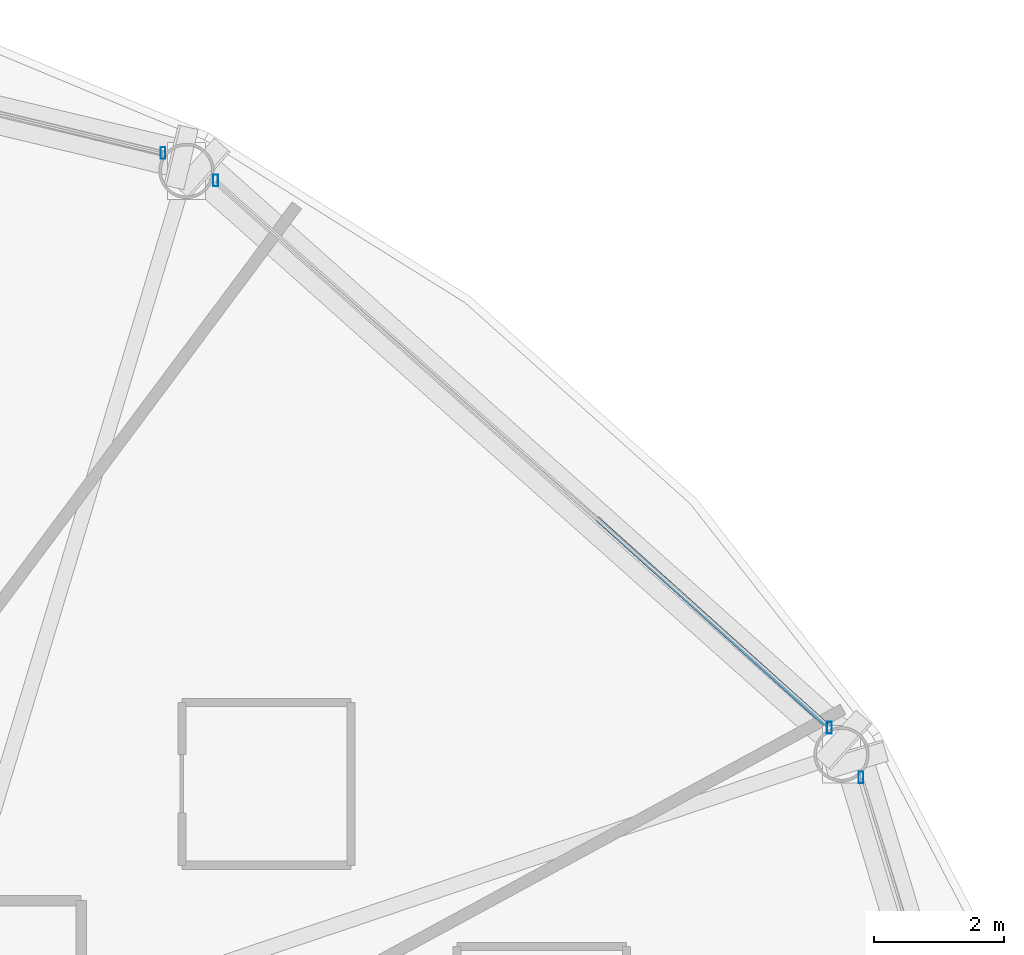
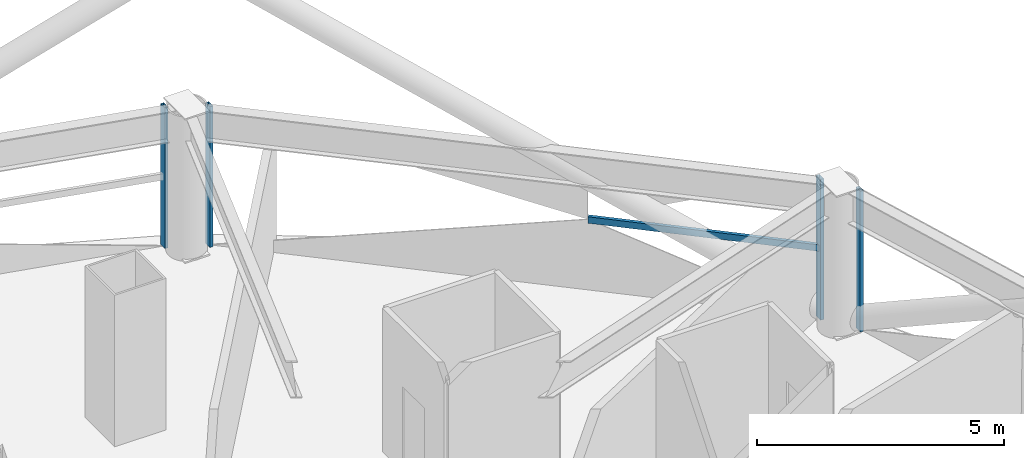
# One storey, part 19 of 30: 5 members, 3 elements without a shape of their own.
"""IFC4 building model written with IfcOpenShell, lengths in metres."""

from ifc_helpers import new_model, si_unit, direction, frame, origin, origin_2d, place, context, subcontext, project, spatial, hollow_rectangle, extrude, material, layer, layer_set, material_profile, profile_set, type_object, element, aggregate, save


model = new_model("IFC4")

# Units and contexts
model_context = context("Model", 3, precision=1e-05, world=origin(), true_north=direction((0.0, 1.0)))
body_context = subcontext(model_context, "Body", "Model", "MODEL_VIEW")
ifc_project = project(units=[si_unit("LENGTHUNIT", "METRE"), si_unit("AREAUNIT", "SQUARE_METRE"), si_unit("VOLUMEUNIT", "CUBIC_METRE"), si_unit("PLANEANGLEUNIT", "RADIAN"), si_unit("MASSUNIT", "GRAM", prefix="KILO")], contexts=[model_context])

# Site, building, storey
site_placement = place(None, origin())
site = spatial("IfcSite", under=ifc_project, at=site_placement, CompositionType="ELEMENT")
building_placement = place(site_placement, origin())
building = spatial("IfcBuilding", under=site, at=building_placement, Name="Vantalir Tower", CompositionType="ELEMENT")
storey_placement = place(building_placement, frame((0.0, 0.0, 79.5)))
storey = spatial("IfcBuildingStorey", under=building, at=storey_placement, Name="L19", CompositionType="ELEMENT", Elevation=79.5)

# Curtain wall, member
ifc_material_1 = material(Name="Champagne-silver PVDF aluminium and double-silver Low-E glass", Category="aluminium")
ifc_layer = layer(ifc_material_1, 0.18994140625)
ifc_layer_set = layer_set([ifc_layer], Name="Champagne-silver PVDF aluminium and double-silver Low-E glass")
curtain_wall_type = type_object("IfcCurtainWallType", Name="CW-DIAMOND-Z1", PredefinedType="USERDEFINED", material=ifc_layer_set)
curtain_wall_1_placement = place(storey_placement, origin())
curtain_wall_1 = element("IfcCurtainWall", 1, at=curtain_wall_1_placement, inside=storey, type_object=curtain_wall_type, Name="L19 Quilted Pyramid-Diamond Curtain Wall S01", ObjectType="UNITISED CURTAIN WALL", PredefinedType="USERDEFINED")
ifc_material_2 = material(Name="Champagne-silver PVDF aluminium 6063-T6", Category="aluminium")
ifc_material_profile_1 = material_profile(ifc_material_2, hollow_rectangle(XDim=0.074951171875, YDim=0.179931640625, WallThickness=0.00390625, at=origin_2d()), Name="Champagne-silver PVDF aluminium 6063-T6")
ifc_profile_set_1 = profile_set([ifc_material_profile_1], Name="Champagne-silver PVDF aluminium 6063-T6")
member_type_1 = type_object("IfcMemberType", Name="CWM-180x75", PredefinedType="MULLION", material=ifc_profile_set_1)
member_1_placement = place(storey_placement, frame((55.614990234375, 36.89208984375, 0.044921875), z_axis=(0.0, 0.0, 1.0), x_axis=(1.0, 0.0, 0.0)))
member_1 = element("IfcMember", 2, at=member_1_placement, type_object=member_type_1, Name="CW-L19-S01 Mullion 2", PredefinedType="MULLION", context=body_context, shape_type="SweptSolid", body=[
    extrude(hollow_rectangle(XDim=0.074951171875, YDim=0.179931640625, WallThickness=0.00390625, at=origin_2d()), origin(), (0.0, 0.0, 1.0), 3.47998046875),
])
aggregate(curtain_wall_1, [member_1])

# Curtain wall, members
curtain_wall_2_placement = place(storey_placement, origin())
curtain_wall_2 = element("IfcCurtainWall", 3, at=curtain_wall_2_placement, inside=storey, type_object=curtain_wall_type, Name="L19 Quilted Pyramid-Diamond Curtain Wall S02", ObjectType="UNITISED CURTAIN WALL", PredefinedType="USERDEFINED")
member_2_placement = place(storey_placement, frame((55.12890625, 37.655029296875, 0.044921875), z_axis=(0.0, 0.0, 1.0), x_axis=(1.0, 0.0, 0.0)))
member_2 = element("IfcMember", 4, at=member_2_placement, type_object=member_type_1, Name="CW-L19-S02 Mullion 1", PredefinedType="MULLION", context=body_context, shape_type="SweptSolid", body=[
    extrude(hollow_rectangle(XDim=0.074951171875, YDim=0.179931640625, WallThickness=0.00390625, at=origin_2d()), origin(), (0.0, 0.0, 1.0), 3.47998046875),
])
member_3_placement = place(storey_placement, frame((45.696044921875, 46.06494140625, 0.044921875), z_axis=(0.0, 0.0, 1.0), x_axis=(1.0, 0.0, 0.0)))
member_3 = element("IfcMember", 5, at=member_3_placement, type_object=member_type_1, Name="CW-L19-S02 Mullion 2", PredefinedType="MULLION", context=body_context, shape_type="SweptSolid", body=[
    extrude(hollow_rectangle(XDim=0.074951171875, YDim=0.179931640625, WallThickness=0.00390625, at=origin_2d()), origin(), (0.0, 0.0, 1.0), 3.47998046875),
])

# Curtain wall, member
curtain_wall_3_placement = place(storey_placement, origin())
curtain_wall_3 = element("IfcCurtainWall", 6, at=curtain_wall_3_placement, inside=storey, type_object=curtain_wall_type, Name="L19 Quilted Pyramid-Diamond Curtain Wall S03", ObjectType="UNITISED CURTAIN WALL", PredefinedType="USERDEFINED")
member_4_placement = place(storey_placement, frame((44.887939453125, 46.487060546875, 0.044921875), z_axis=(0.0, 0.0, 1.0), x_axis=(1.0, 0.0, 0.0)))
member_4 = element("IfcMember", 7, at=member_4_placement, type_object=member_type_1, Name="CW-L19-S03 Mullion 1", PredefinedType="MULLION", context=body_context, shape_type="SweptSolid", body=[
    extrude(hollow_rectangle(XDim=0.074951171875, YDim=0.179931640625, WallThickness=0.00390625, at=origin_2d()), origin(), (0.0, 0.0, 1.0), 3.47998046875),
])
aggregate(curtain_wall_3, [member_4])

# Member
ifc_material_profile_2 = material_profile(ifc_material_2, hollow_rectangle(XDim=0.074951171875, YDim=0.159912109375, WallThickness=0.00390625, at=origin_2d()), Name="Champagne-silver PVDF aluminium 6063-T6")
ifc_profile_set_2 = profile_set([ifc_material_profile_2], Name="Champagne-silver PVDF aluminium 6063-T6")
member_type_2 = type_object("IfcMemberType", Name="CWT-160x75", PredefinedType="USERDEFINED", material=ifc_profile_set_2)
member_5_placement = place(storey_placement, frame((55.12890625, 37.655029296875, 1.784912109375), z_axis=(-0.743127152611, 0.669150233544, 0.0), x_axis=(-0.669150233544, -0.743127152611, 0.0)))
member_5 = element("IfcMember", 8, at=member_5_placement, type_object=member_type_2, Name="CW-L19-S02 Pyramid Fold Ridge Transom", ObjectType="TRANSOM", PredefinedType="USERDEFINED", context=body_context, shape_type="SweptSolid", body=[
    extrude(hollow_rectangle(XDim=0.074951171875, YDim=0.159912109375, WallThickness=0.00390625, at=origin_2d()), origin(), (0.0, 0.0, 1.0), 4.798583984375),
])

aggregate(curtain_wall_2, [member_2, member_3, member_5])

save(model, "model.ifc")
